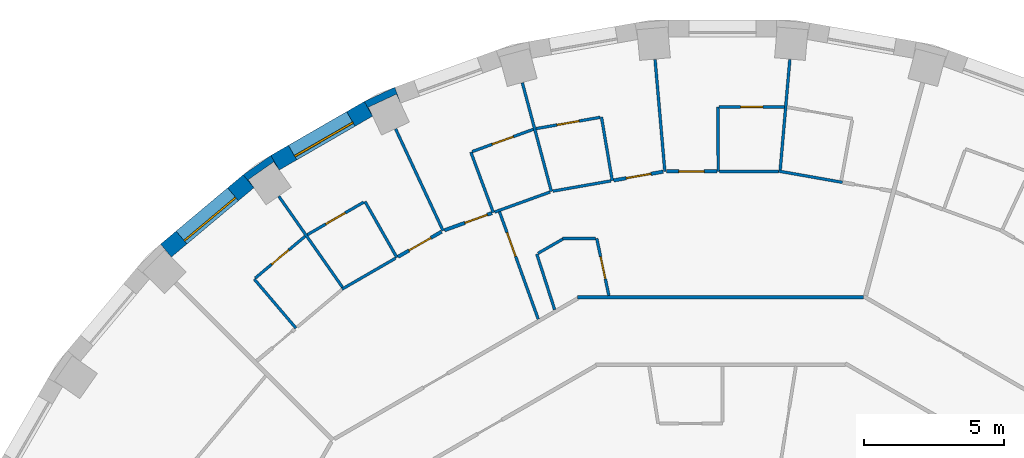
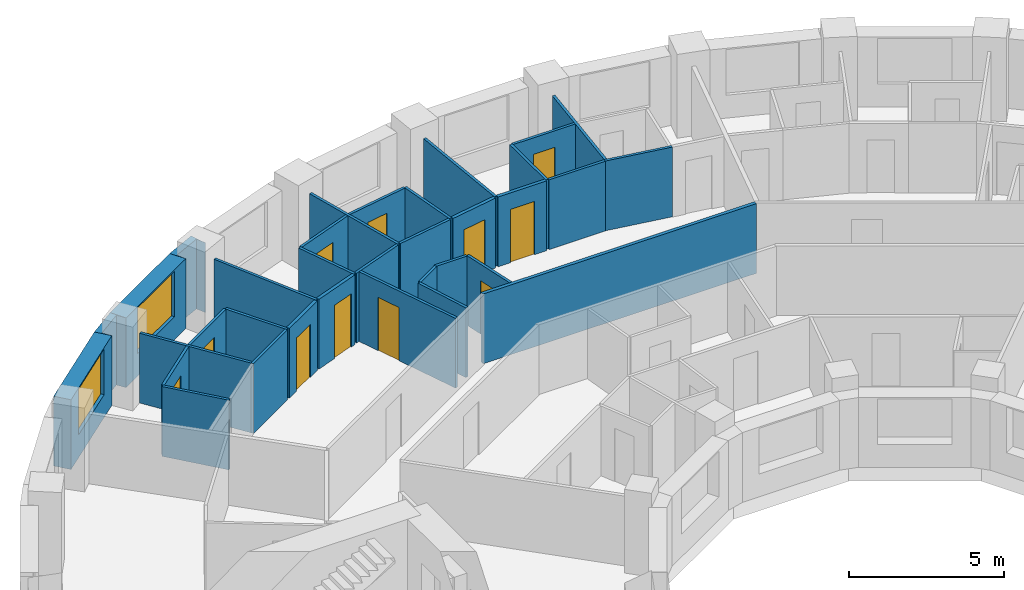
# One storey, part 12 of 16: 34 walls, 11 doors, 2 windows, 13 openings.
"""IFC4 building model written with IfcOpenShell, lengths in metres."""

from ifc_helpers import new_model, si_unit, direction, frame, frame_2d, origin, place, context, subcontext, project, spatial, polyline, rectangle, outline, extrude, material, layer, layer_set, type_object, element, fill, save


model = new_model("IFC4")

# Units and contexts
model_context = context("Model", 3, precision=1e-05, world=origin(), true_north=direction((0.0, 1.0)))
body_context = subcontext(model_context, "Body", "Model", "MODEL_VIEW")
ifc_project = project(units=[si_unit("LENGTHUNIT", "METRE"), si_unit("AREAUNIT", "SQUARE_METRE"), si_unit("VOLUMEUNIT", "CUBIC_METRE"), si_unit("PLANEANGLEUNIT", "RADIAN"), si_unit("MASSUNIT", "GRAM", prefix="KILO")], contexts=[model_context])

# Site, building, storey
site_placement = place(None, origin())
site = spatial("IfcSite", under=ifc_project, at=site_placement, CompositionType="ELEMENT")
building_placement = place(site_placement, origin())
building = spatial("IfcBuilding", under=site, at=building_placement, Name="Saqina Gate Tower", CompositionType="ELEMENT")
storey_placement = place(building_placement, frame((0.0, 0.0, 26.300048828125)))
storey = spatial("IfcBuildingStorey", under=building, at=storey_placement, Name="L06", CompositionType="ELEMENT", Elevation=26.300048828125)

# Walls
ifc_material_1 = material(Name="Brick masonry (red)", Category="masonry")
wall_type_1 = type_object("IfcWallType", Name="BRICK PIER COPING RED", PredefinedType="SOLIDWALL", material=ifc_material_1)
wall_1_placement = place(storey_placement, origin())
element("IfcWall", 1, at=wall_1_placement, inside=storey, type_object=wall_type_1, Name="Pier cap L06 column 12", PredefinedType="SOLIDWALL", context=body_context, shape_type="SweptSolid", body=[
    extrude(outline(polyline([(-12.779541015625, 25.980712890625), (-12.4794921875, 25.4609375), (-12.627685546875, 25.778564453125), (-11.630615234375, 26.243408203125), (-11.482666015625, 25.92578125), (-11.687744140625, 26.48974609375), (-12.779541015625, 25.980712890625)])), origin(), (0.0, 0.0, 1.0), 2.75),
])
wall_2_placement = place(storey_placement, origin())
element("IfcWall", 2, at=wall_2_placement, inside=storey, type_object=wall_type_1, Name="Pier cap L06 column 13", PredefinedType="SOLIDWALL", context=body_context, shape_type="SweptSolid", body=[
    extrude(outline(polyline([(-16.110107421875, 24.0576171875), (-17.096923828125, 23.36669921875), (-16.711181640625, 22.9072265625), (-16.912109375, 23.194091796875), (-16.010986328125, 23.8251953125), (-15.81005859375, 23.5380859375), (-16.110107421875, 24.0576171875)])), origin(), (0.0, 0.0, 1.0), 2.75),
])

# Wall, opening, window
ifc_material_2 = material(Name="Brick masonry (red)", Category="masonry")
ifc_layer_1 = layer(ifc_material_2, 0.60009765625)
ifc_layer_set_1 = layer_set([ifc_layer_1], Name="FW-BRICK-RED")
wall_type_2 = type_object("IfcWallType", Name="FW-BRICK-RED", PredefinedType="SOLIDWALL", material=ifc_layer_set_1)
wall_3_placement = place(storey_placement, frame((-12.629638671875, 25.720703125, 0.0), z_axis=(0.0, 0.0, 1.0), x_axis=(-0.86603124159, -0.499989888488, 0.0)))
wall_3 = element("IfcWall", 3, at=wall_3_placement, inside=storey, type_object=wall_type_2, Name="Facade wall L06 facet 12", PredefinedType="SOLIDWALL", context=body_context, shape_type="SweptSolid", body=[
    extrude(rectangle(XDim=3.845703125, YDim=0.60009765625, at=frame_2d((1.9228515625, 0.0))), origin(), (0.0, 0.0, 1.0), 2.75),
])
opening_1_placement = place(wall_3_placement, frame((0.722900390625, 0.0, 0.89990234375)))
opening_1 = element("IfcOpeningElement", 4, at=opening_1_placement, cuts=wall_3, Name="Opening G01-W10", PredefinedType="OPENING", context=body_context, shape_type="SweptSolid", body=[
    extrude(rectangle(XDim=2.39990234375, YDim=1.800048828125, at=frame_2d((1.199951171875, 0.89990234375))), frame((0.0, 0.31201171875, 0.0), z_axis=(0.0, -1.0, 0.0), x_axis=(1.0, 0.0, 0.0)), (0.0, 0.0, 1.0), 0.6240234375),
])
ifc_material_3 = material(Name="Aluminium glazing", Category="aluminium")
window_type = type_object("IfcWindowType", Name="WN-A", PartitioningType="SINGLE_PANEL", PredefinedType="WINDOW", material=ifc_material_3)
window_1_placement = place(opening_1_placement, origin())
window_1 = element("IfcWindow", 5, at=window_1_placement, inside=storey, type_object=window_type, Name="Window L06 facet 12", OverallHeight=1.800048828125, OverallWidth=2.39990234375, PartitioningType="SINGLE_PANEL", PredefinedType="WINDOW", context=body_context, shape_type="SweptSolid", body=[
    extrude(rectangle(XDim=2.39990234375, YDim=1.800048828125, at=frame_2d((1.199951171875, 0.89990234375))), frame((0.0, 0.179931640625, 0.0), z_axis=(0.0, -1.0, 0.0), x_axis=(1.0, 0.0, 0.0)), (0.0, 0.0, 1.0), 0.06005859375),
])
fill(opening_1, window_1)

wall_4_placement = place(storey_placement, frame((-16.904052734375, 23.136962890625, 0.0), z_axis=(0.0, 0.0, 1.0), x_axis=(-0.766026164483, -0.642809392687, 0.0)))
wall_4 = element("IfcWall", 6, at=wall_4_placement, inside=storey, type_object=wall_type_2, Name="Facade wall L06 facet 13", PredefinedType="SOLIDWALL", context=body_context, shape_type="SweptSolid", body=[
    extrude(rectangle(XDim=3.845947265625, YDim=0.60009765625, at=frame_2d((1.9228515625, 0.0))), origin(), (0.0, 0.0, 1.0), 2.75),
])
opening_2_placement = place(wall_4_placement, frame((0.722900390625, 0.0, 0.89990234375)))
opening_2 = element("IfcOpeningElement", 7, at=opening_2_placement, cuts=wall_4, Name="Opening G01-W11", PredefinedType="OPENING", context=body_context, shape_type="SweptSolid", body=[
    extrude(rectangle(XDim=2.39990234375, YDim=1.800048828125, at=frame_2d((1.199951171875, 0.89990234375))), frame((0.0, 0.31201171875, 0.0), z_axis=(0.0, -1.0, 0.0), x_axis=(1.0, 0.0, 0.0)), (0.0, 0.0, 1.0), 0.6240234375),
])
window_2_placement = place(opening_2_placement, origin())
window_2 = element("IfcWindow", 8, at=window_2_placement, inside=storey, type_object=window_type, Name="Window L06 facet 13", OverallHeight=1.800048828125, OverallWidth=2.39990234375, PartitioningType="SINGLE_PANEL", PredefinedType="WINDOW", context=body_context, shape_type="SweptSolid", body=[
    extrude(rectangle(XDim=2.39990234375, YDim=1.800048828125, at=frame_2d((1.199951171875, 0.89990234375))), frame((0.0, 0.179931640625, 0.0), z_axis=(0.0, -1.0, 0.0), x_axis=(1.0, 0.0, 0.0)), (0.0, 0.0, 1.0), 0.06005859375),
])
fill(opening_2, window_2)

# Walls
ifc_material_4 = material(Name="Gypsum board on steel studs, 100 mm", Category="steel")
ifc_layer_2 = layer(ifc_material_4, 0.10009765625)
ifc_layer_set_2 = layer_set([ifc_layer_2], Name="PARTITION 100")
wall_type_3 = type_object("IfcWallType", Name="PARTITION 100", PredefinedType="PARTITIONING", material=ifc_layer_set_2)
wall_5_placement = place(storey_placement, frame((-0.1650390625, 25.7900390625, 0.0), z_axis=(0.0, 0.0, 1.0), x_axis=(0.006580899844, -0.999978345644, 0.0)))
element("IfcWall", 9, at=wall_5_placement, inside=storey, type_object=wall_type_3, Name="PARTITION PW3-01", PredefinedType="PARTITIONING", context=body_context, shape_type="SweptSolid", body=[
    extrude(rectangle(XDim=2.300048828125, YDim=0.10009765625, at=frame_2d((1.14990234375, 0.0))), origin(), (0.0, 0.0, 1.0), 2.75),
])
wall_6_placement = place(storey_placement, frame((-2.404541015625, 27.485107421875, 0.0), z_axis=(0.0, 0.0, 1.0), x_axis=(0.087176012461, -0.996192924514, 0.0)))
element("IfcWall", 10, at=wall_6_placement, inside=storey, type_object=wall_type_3, Name="PARTITION PW3-03", PredefinedType="PARTITIONING", context=body_context, shape_type="SweptSolid", body=[
    extrude(rectangle(XDim=4.010498046875, YDim=0.10009765625, at=frame_2d((2.00537109375, 0.0))), origin(), (0.0, 0.0, 1.0), 2.75),
])
wall_7_placement = place(storey_placement, frame((-4.31591796875, 25.426025390625, 0.0), z_axis=(0.0, 0.0, 1.0), x_axis=(0.167445855502, -0.985881273519, 0.0)))
element("IfcWall", 11, at=wall_7_placement, inside=storey, type_object=wall_type_3, Name="PARTITION PW3-09", PredefinedType="PARTITIONING", context=body_context, shape_type="SweptSolid", body=[
    extrude(rectangle(XDim=2.29931640625, YDim=0.10009765625, at=frame_2d((1.149658203125, 0.0))), origin(), (0.0, 0.0, 1.0), 2.75),
])

# Wall, opening, door
wall_8_placement = place(storey_placement, frame((-4.485107421875, 21.10009765625, 0.0), z_axis=(0.0, 0.0, 1.0), x_axis=(0.207769107872, -0.978177896813, 0.0)))
wall_8 = element("IfcWall", 12, at=wall_8_placement, inside=storey, type_object=wall_type_3, Name="PARTITION PW3-11", PredefinedType="PARTITIONING", context=body_context, shape_type="SweptSolid", body=[
    extrude(rectangle(XDim=2.08447265625, YDim=0.10009765625, at=frame_2d((1.042236328125, 0.0))), origin(), (0.0, 0.0, 1.0), 2.75),
])
opening_3_placement = place(wall_8_placement, frame((0.67333984375, 0.0, 0.0)))
opening_3 = element("IfcOpeningElement", 13, at=opening_3_placement, cuts=wall_8, Name="Opening G01-D25", PredefinedType="OPENING", context=body_context, shape_type="SweptSolid", body=[
    extrude(rectangle(XDim=0.800048828125, YDim=2.10009765625, at=frame_2d((0.39990234375, 1.050048828125))), frame((0.0, 0.06201171875, 0.0), z_axis=(0.0, -1.0, 0.0), x_axis=(1.0, 0.0, 0.0)), (0.0, 0.0, 1.0), 0.1240234375),
])
ifc_material_5 = material(Name="Timber door leaf, 800 mm", Category="wood")
door_type_1 = type_object("IfcDoorType", Name="DOOR 800 TIMBER", OperationType="SINGLE_SWING_LEFT", PredefinedType="DOOR", material=ifc_material_5)
door_1_placement = place(opening_3_placement, origin())
door_1 = element("IfcDoor", 14, at=door_1_placement, inside=storey, type_object=door_type_1, Name="DOOR G01-D25", OperationType="SINGLE_SWING_RIGHT", OverallHeight=2.10009765625, OverallWidth=0.800048828125, PredefinedType="DOOR", context=body_context, shape_type="SweptSolid", body=[
    extrude(rectangle(XDim=0.800048828125, YDim=2.10009765625, at=frame_2d((0.39990234375, 1.050048828125))), frame((0.0, 0.02490234375, 0.0), z_axis=(0.0, -1.0, 0.0), x_axis=(1.0, 0.0, 0.0)), (0.0, 0.0, 1.0), 0.050048828125),
])
fill(opening_3, door_1)

# Walls
wall_9_placement = place(storey_placement, frame((-7.13818359375, 26.650634765625, 0.0), z_axis=(0.0, 0.0, 1.0), x_axis=(0.258102122941, -0.966117639904, 0.0)))
element("IfcWall", 15, at=wall_9_placement, inside=storey, type_object=wall_type_3, Name="PARTITION PW3-12", PredefinedType="PARTITIONING", context=body_context, shape_type="SweptSolid", body=[
    extrude(rectangle(XDim=4.0107421875, YDim=0.10009765625, at=frame_2d((2.00537109375, 0.0))), origin(), (0.0, 0.0, 1.0), 2.75),
])
wall_10_placement = place(storey_placement, frame((-6.6240234375, 20.5400390625, 0.0), z_axis=(0.0, 0.0, 1.0), x_axis=(0.306694945769, -0.951807864141, 0.0)))
element("IfcWall", 16, at=wall_10_placement, inside=storey, type_object=wall_type_3, Name="PARTITION PW3-15", PredefinedType="PARTITIONING", context=body_context, shape_type="SweptSolid", body=[
    extrude(rectangle(XDim=2.085693359375, YDim=0.10009765625, at=frame_2d((1.04296875, 0.0))), origin(), (0.0, 0.0, 1.0), 2.75),
])

# Wall, opening, door
wall_11_placement = place(storey_placement, frame((-7.953125, 22.049072265625, 0.0), z_axis=(0.0, 0.0, 1.0), x_axis=(0.339432395801, -0.940630452771, 0.0)))
wall_11 = element("IfcWall", 17, at=wall_11_placement, inside=storey, type_object=wall_type_3, Name="PARTITION PW3-16", PredefinedType="PARTITIONING", context=body_context, shape_type="SweptSolid", body=[
    extrude(rectangle(XDim=4.073974609375, YDim=0.10009765625, at=frame_2d((2.037109375, 0.0))), origin(), (0.0, 0.0, 1.0), 2.75),
])
opening_4_placement = place(wall_11_placement, frame((0.793212890625, 0.0, 0.0)))
opening_4 = element("IfcOpeningElement", 18, at=opening_4_placement, cuts=wall_11, Name="Opening G01-D28", PredefinedType="OPENING", context=body_context, shape_type="SweptSolid", body=[
    extrude(rectangle(XDim=0.89990234375, YDim=2.10009765625, at=frame_2d((0.449951171875, 1.050048828125))), frame((0.0, 0.06201171875, 0.0), z_axis=(0.0, -1.0, 0.0), x_axis=(1.0, 0.0, 0.0)), (0.0, 0.0, 1.0), 0.1240234375),
])
ifc_material_6 = material(Name="Timber door leaf, 900 mm", Category="wood")
door_type_2 = type_object("IfcDoorType", Name="DOOR 900 TIMBER", OperationType="SINGLE_SWING_LEFT", PredefinedType="DOOR", material=ifc_material_6)
door_2_placement = place(opening_4_placement, origin())
door_2 = element("IfcDoor", 19, at=door_2_placement, inside=storey, type_object=door_type_2, Name="DOOR G01-D28", OperationType="SINGLE_SWING_RIGHT", OverallHeight=2.10009765625, OverallWidth=0.89990234375, PredefinedType="DOOR", context=body_context, shape_type="SweptSolid", body=[
    extrude(rectangle(XDim=0.89990234375, YDim=2.10009765625, at=frame_2d((0.449951171875, 1.050048828125))), frame((0.0, 0.02490234375, 0.0), z_axis=(0.0, -1.0, 0.0), x_axis=(1.0, 0.0, 0.0)), (0.0, 0.0, 1.0), 0.050048828125),
])
fill(opening_4, door_2)

# Walls
wall_12_placement = place(storey_placement, frame((-8.97509765625, 24.177978515625, 0.0), z_axis=(0.0, 0.0, 1.0), x_axis=(0.347898637283, -0.937532153143, 0.0)))
element("IfcWall", 20, at=wall_12_placement, inside=storey, type_object=wall_type_3, Name="PARTITION PW3-17", PredefinedType="PARTITIONING", context=body_context, shape_type="SweptSolid", body=[
    extrude(rectangle(XDim=2.299560546875, YDim=0.10009765625, at=frame_2d((1.14990234375, 0.0))), origin(), (0.0, 0.0, 1.0), 2.75),
])
wall_13_placement = place(storey_placement, frame((-11.659912109375, 25.005126953125, 0.0), z_axis=(0.0, 0.0, 1.0), x_axis=(0.422575525044, -0.906327714259, 0.0)))
element("IfcWall", 21, at=wall_13_placement, inside=storey, type_object=wall_type_3, Name="PARTITION PW3-21", PredefinedType="PARTITIONING", context=body_context, shape_type="SweptSolid", body=[
    extrude(rectangle(XDim=4.0107421875, YDim=0.10009765625, at=frame_2d((2.00537109375, 0.0))), origin(), (0.0, 0.0, 1.0), 2.75),
])
wall_14_placement = place(storey_placement, frame((-12.751953125, 22.4169921875, 0.0), z_axis=(0.0, 0.0, 1.0), x_axis=(0.494388735629, -0.869240920621, 0.0)))
element("IfcWall", 22, at=wall_14_placement, inside=storey, type_object=wall_type_3, Name="PARTITION PW3-22", PredefinedType="PARTITIONING", context=body_context, shape_type="SweptSolid", body=[
    extrude(rectangle(XDim=2.2998046875, YDim=0.10009765625, at=frame_2d((1.14990234375, 0.0))), origin(), (0.0, 0.0, 1.0), 2.75),
])
wall_15_placement = place(storey_placement, frame((-15.824951171875, 22.600341796875, 0.0), z_axis=(0.0, 0.0, 1.0), x_axis=(0.573420971208, -0.819260880171, 0.0)))
element("IfcWall", 23, at=wall_15_placement, inside=storey, type_object=wall_type_3, Name="PARTITION PW3-26", PredefinedType="PARTITIONING", context=body_context, shape_type="SweptSolid", body=[
    extrude(rectangle(XDim=3.96044921875, YDim=0.10009765625, at=frame_2d((1.980224609375, 0.0))), origin(), (0.0, 0.0, 1.0), 2.75),
])
wall_16_placement = place(storey_placement, frame((-16.7041015625, 19.64990234375, 0.0), z_axis=(0.0, 0.0, 1.0), x_axis=(0.647857930374, -0.761761184395, 0.0)))
element("IfcWall", 24, at=wall_16_placement, inside=storey, type_object=wall_type_3, Name="PARTITION PW3-31", PredefinedType="PARTITIONING", context=body_context, shape_type="SweptSolid", body=[
    extrude(rectangle(XDim=2.2998046875, YDim=0.10009765625, at=frame_2d((1.14990234375, 0.0))), origin(), (0.0, 0.0, 1.0), 2.75),
])
wall_17_placement = place(storey_placement, frame((2.0048828125, 23.498779296875, 0.0), z_axis=(0.0, 0.0, 1.0), x_axis=(0.984814448646, -0.173610200557, 0.0)))
element("IfcWall", 25, at=wall_17_placement, inside=storey, type_object=wall_type_3, Name="PARTITION PW3-53", PredefinedType="PARTITIONING", context=body_context, shape_type="SweptSolid", body=[
    extrude(rectangle(XDim=2.30615234375, YDim=0.10009765625, at=frame_2d((1.153076171875, 0.0))), origin(), (0.0, 0.0, 1.0), 2.75),
])
wall_18_placement = place(storey_placement, frame((-5.711669921875, 21.10009765625, 0.0), z_axis=(0.0, 0.0, 1.0), x_axis=(1.0, 0.0, 0.0)))
element("IfcWall", 26, at=wall_18_placement, inside=storey, type_object=wall_type_3, Name="PARTITION PW3-64", PredefinedType="PARTITIONING", context=body_context, shape_type="SweptSolid", body=[
    extrude(rectangle(XDim=1.1767578125, YDim=0.10009765625, at=frame_2d((0.58837890625, 0.0))), origin(), (0.0, 0.0, 1.0), 2.75),
])
wall_19_placement = place(storey_placement, frame((-0.10009765625, 23.489990234375, 0.0), z_axis=(0.0, 0.0, 1.0), x_axis=(1.0, 0.0, 0.0)))
element("IfcWall", 27, at=wall_19_placement, inside=storey, type_object=wall_type_3, Name="PARTITION PW3-65", PredefinedType="PARTITIONING", context=body_context, shape_type="SweptSolid", body=[
    extrude(rectangle(XDim=2.10498046875, YDim=0.10009765625, at=frame_2d((1.052490234375, 0.0))), origin(), (0.0, 0.0, 1.0), 2.75),
])

# Wall, opening, door
wall_20_placement = place(storey_placement, frame((-0.114990234375, 25.7900390625, 0.0), z_axis=(0.0, 0.0, 1.0), x_axis=(1.0, 0.0, 0.0)))
wall_20 = element("IfcWall", 28, at=wall_20_placement, inside=storey, type_object=wall_type_3, Name="PARTITION PW3-66", PredefinedType="PARTITIONING", context=body_context, shape_type="SweptSolid", body=[
    extrude(rectangle(XDim=2.321044921875, YDim=0.10009765625, at=frame_2d((1.16064453125, 0.0))), origin(), (0.0, 0.0, 1.0), 2.75),
])
opening_5_placement = place(wall_20_placement, frame((0.760498046875, 0.0, 0.0)))
opening_5 = element("IfcOpeningElement", 29, at=opening_5_placement, cuts=wall_20, Name="Opening G01-D20", PredefinedType="OPENING", context=body_context, shape_type="SweptSolid", body=[
    extrude(rectangle(XDim=0.800048828125, YDim=2.10009765625, at=frame_2d((0.39990234375, 1.050048828125))), frame((0.0, 0.06201171875, 0.0), z_axis=(0.0, -1.0, 0.0), x_axis=(1.0, 0.0, 0.0)), (0.0, 0.0, 1.0), 0.1240234375),
])
door_3_placement = place(opening_5_placement, origin())
door_3 = element("IfcDoor", 30, at=door_3_placement, inside=storey, type_object=door_type_1, Name="DOOR G01-D20", OperationType="SINGLE_SWING_LEFT", OverallHeight=2.10009765625, OverallWidth=0.800048828125, PredefinedType="DOOR", context=body_context, shape_type="SweptSolid", body=[
    extrude(rectangle(XDim=0.800048828125, YDim=2.10009765625, at=frame_2d((0.39990234375, 1.050048828125))), frame((0.0, 0.02490234375, 0.0), z_axis=(0.0, -1.0, 0.0), x_axis=(1.0, 0.0, 0.0)), (0.0, 0.0, 1.0), 0.050048828125),
])
fill(opening_5, door_3)

# Wall
wall_21_placement = place(storey_placement, frame((-6.0537109375, 22.78466796875, 0.0), z_axis=(0.0, 0.0, 1.0), x_axis=(0.984798730273, 0.173699340392, 0.0)))
element("IfcWall", 31, at=wall_21_placement, inside=storey, type_object=wall_type_3, Name="PARTITION PW3-69", PredefinedType="PARTITIONING", context=body_context, shape_type="SweptSolid", body=[
    extrude(rectangle(XDim=2.10546875, YDim=0.10009765625, at=frame_2d((1.052734375, 0.0))), origin(), (0.0, 0.0, 1.0), 2.75),
])

# Wall, opening, door
wall_22_placement = place(storey_placement, frame((-6.65087890625, 25.0146484375, 0.0), z_axis=(0.0, 0.0, 1.0), x_axis=(0.98483963522, 0.173467267515, 0.0)))
wall_22 = element("IfcWall", 32, at=wall_22_placement, inside=storey, type_object=wall_type_3, Name="PARTITION PW3-70", PredefinedType="PARTITIONING", context=body_context, shape_type="SweptSolid", body=[
    extrude(rectangle(XDim=2.32080078125, YDim=0.10009765625, at=frame_2d((1.160400390625, 0.0))), origin(), (0.0, 0.0, 1.0), 2.75),
])
opening_6_placement = place(wall_22_placement, frame((0.760498046875, 0.0, 0.0)))
opening_6 = element("IfcOpeningElement", 33, at=opening_6_placement, cuts=wall_22, Name="Opening G01-D26", PredefinedType="OPENING", context=body_context, shape_type="SweptSolid", body=[
    extrude(rectangle(XDim=0.800048828125, YDim=2.10009765625, at=frame_2d((0.39990234375, 1.050048828125))), frame((0.0, 0.06201171875, 0.0), z_axis=(0.0, -1.0, 0.0), x_axis=(1.0, 0.0, 0.0)), (0.0, 0.0, 1.0), 0.1240234375),
])
door_4_placement = place(opening_6_placement, origin())
door_4 = element("IfcDoor", 34, at=door_4_placement, inside=storey, type_object=door_type_1, Name="DOOR G01-D26", OperationType="SINGLE_SWING_RIGHT", OverallHeight=2.10009765625, OverallWidth=0.800048828125, PredefinedType="DOOR", context=body_context, shape_type="SweptSolid", body=[
    extrude(rectangle(XDim=0.800048828125, YDim=2.10009765625, at=frame_2d((0.39990234375, 1.050048828125))), frame((0.0, 0.02490234375, 0.0), z_axis=(0.0, -1.0, 0.0), x_axis=(1.0, 0.0, 0.0)), (0.0, 0.0, 1.0), 0.050048828125),
])
fill(opening_6, door_4)

# Wall
wall_23_placement = place(storey_placement, frame((-8.1279296875, 22.0390625, 0.0), z_axis=(0.0, 0.0, 1.0), x_axis=(0.940600209608, 0.339516193553, 0.0)))
element("IfcWall", 35, at=wall_23_placement, inside=storey, type_object=wall_type_3, Name="PARTITION PW3-71", PredefinedType="PARTITIONING", context=body_context, shape_type="SweptSolid", body=[
    extrude(rectangle(XDim=2.104736328125, YDim=0.10009765625, at=frame_2d((1.05224609375, 0.0))), origin(), (0.0, 0.0, 1.0), 2.75),
])

# Wall, opening, door
wall_24_placement = place(storey_placement, frame((-8.927978515625, 24.195068359375, 0.0), z_axis=(0.0, 0.0, 1.0), x_axis=(0.939670512052, 0.342080880465, 0.0)))
wall_24 = element("IfcWall", 36, at=wall_24_placement, inside=storey, type_object=wall_type_3, Name="PARTITION PW3-73", PredefinedType="PARTITIONING", context=body_context, shape_type="SweptSolid", body=[
    extrude(rectangle(XDim=2.321044921875, YDim=0.10009765625, at=frame_2d((1.16064453125, 0.0))), origin(), (0.0, 0.0, 1.0), 2.75),
])
opening_7_placement = place(wall_24_placement, frame((0.760498046875, 0.0, 0.0)))
opening_7 = element("IfcOpeningElement", 37, at=opening_7_placement, cuts=wall_24, Name="Opening G01-D27", PredefinedType="OPENING", context=body_context, shape_type="SweptSolid", body=[
    extrude(rectangle(XDim=0.800048828125, YDim=2.10009765625, at=frame_2d((0.39990234375, 1.050048828125))), frame((0.0, 0.06201171875, 0.0), z_axis=(0.0, -1.0, 0.0), x_axis=(1.0, 0.0, 0.0)), (0.0, 0.0, 1.0), 0.1240234375),
])
door_5_placement = place(opening_7_placement, origin())
door_5 = element("IfcDoor", 38, at=door_5_placement, inside=storey, type_object=door_type_1, Name="DOOR G01-D27", OperationType="SINGLE_SWING_RIGHT", OverallHeight=2.10009765625, OverallWidth=0.800048828125, PredefinedType="DOOR", context=body_context, shape_type="SweptSolid", body=[
    extrude(rectangle(XDim=0.800048828125, YDim=2.10009765625, at=frame_2d((0.39990234375, 1.050048828125))), frame((0.0, 0.02490234375, 0.0), z_axis=(0.0, -1.0, 0.0), x_axis=(1.0, 0.0, 0.0)), (0.0, 0.0, 1.0), 0.050048828125),
])
fill(opening_7, door_5)

# Walls
wall_25_placement = place(storey_placement, frame((-6.580810546875, 20.56494140625, 0.0), z_axis=(0.0, 0.0, 1.0), x_axis=(0.866070023821, 0.499922707865, 0.0)))
element("IfcWall", 39, at=wall_25_placement, inside=storey, type_object=wall_type_3, Name="PARTITION PW3-80", PredefinedType="PARTITIONING", context=body_context, shape_type="SweptSolid", body=[
    extrude(rectangle(XDim=1.020263671875, YDim=0.10009765625, at=frame_2d((0.51025390625, 0.0))), origin(), (0.0, 0.0, 1.0), 2.75),
])
wall_26_placement = place(storey_placement, frame((-13.56884765625, 19.28955078125, 0.0), z_axis=(0.0, 0.0, 1.0), x_axis=(0.865946011253, 0.500137486693, 0.0)))
element("IfcWall", 40, at=wall_26_placement, inside=storey, type_object=wall_type_3, Name="PARTITION PW3-81", PredefinedType="PARTITIONING", context=body_context, shape_type="SweptSolid", body=[
    extrude(rectangle(XDim=2.20654296875, YDim=0.10009765625, at=frame_2d((1.103271484375, 0.0))), origin(), (0.0, 0.0, 1.0), 2.75),
])

# Wall, opening, door
wall_27_placement = place(storey_placement, frame((-14.8056640625, 21.23095703125, 0.0), z_axis=(0.0, 0.0, 1.0), x_axis=(0.865929854881, 0.500165459049, 0.0)))
wall_27 = element("IfcWall", 41, at=wall_27_placement, inside=storey, type_object=wall_type_3, Name="PARTITION PW3-82", PredefinedType="PARTITIONING", context=body_context, shape_type="SweptSolid", body=[
    extrude(rectangle(XDim=2.321533203125, YDim=0.10009765625, at=frame_2d((1.16064453125, 0.0))), origin(), (0.0, 0.0, 1.0), 2.75),
])
opening_8_placement = place(wall_27_placement, frame((0.7607421875, 0.0, 0.0)))
opening_8 = element("IfcOpeningElement", 42, at=opening_8_placement, cuts=wall_27, Name="Opening G01-D33", PredefinedType="OPENING", context=body_context, shape_type="SweptSolid", body=[
    extrude(rectangle(XDim=0.800048828125, YDim=2.10009765625, at=frame_2d((0.39990234375, 1.050048828125))), frame((0.0, 0.06201171875, 0.0), z_axis=(0.0, -1.0, 0.0), x_axis=(1.0, 0.0, 0.0)), (0.0, 0.0, 1.0), 0.1240234375),
])
door_6_placement = place(opening_8_placement, origin())
door_6 = element("IfcDoor", 43, at=door_6_placement, inside=storey, type_object=door_type_1, Name="DOOR G01-D33", OperationType="SINGLE_SWING_RIGHT", OverallHeight=2.10009765625, OverallWidth=0.800048828125, PredefinedType="DOOR", context=body_context, shape_type="SweptSolid", body=[
    extrude(rectangle(XDim=0.800048828125, YDim=2.10009765625, at=frame_2d((0.39990234375, 1.050048828125))), frame((0.0, 0.02490234375, 0.0), z_axis=(0.0, -1.0, 0.0), x_axis=(1.0, 0.0, 0.0)), (0.0, 0.0, 1.0), 0.050048828125),
])
fill(opening_8, door_6)

wall_28_placement = place(storey_placement, frame((-16.665771484375, 19.68212890625, 0.0), z_axis=(0.0, 0.0, 1.0), x_axis=(0.766191543126, 0.642612261976, 0.0)))
wall_28 = element("IfcWall", 44, at=wall_28_placement, inside=storey, type_object=wall_type_3, Name="PARTITION PW3-88", PredefinedType="PARTITIONING", context=body_context, shape_type="SweptSolid", body=[
    extrude(rectangle(XDim=2.3212890625, YDim=0.10009765625, at=frame_2d((1.16064453125, 0.0))), origin(), (0.0, 0.0, 1.0), 2.75),
])
opening_9_placement = place(wall_28_placement, frame((0.760498046875, 0.0, 0.0)))
opening_9 = element("IfcOpeningElement", 45, at=opening_9_placement, cuts=wall_28, Name="Opening G01-D36", PredefinedType="OPENING", context=body_context, shape_type="SweptSolid", body=[
    extrude(rectangle(XDim=0.800048828125, YDim=2.10009765625, at=frame_2d((0.39990234375, 1.050048828125))), frame((0.0, 0.06201171875, 0.0), z_axis=(0.0, -1.0, 0.0), x_axis=(1.0, 0.0, 0.0)), (0.0, 0.0, 1.0), 0.1240234375),
])
door_7_placement = place(opening_9_placement, origin())
door_7 = element("IfcDoor", 46, at=door_7_placement, inside=storey, type_object=door_type_1, Name="DOOR G01-D36", OperationType="SINGLE_SWING_RIGHT", OverallHeight=2.10009765625, OverallWidth=0.800048828125, PredefinedType="DOOR", context=body_context, shape_type="SweptSolid", body=[
    extrude(rectangle(XDim=0.800048828125, YDim=2.10009765625, at=frame_2d((0.39990234375, 1.050048828125))), frame((0.0, 0.02490234375, 0.0), z_axis=(0.0, -1.0, 0.0), x_axis=(1.0, 0.0, 0.0)), (0.0, 0.0, 1.0), 0.050048828125),
])
fill(opening_9, door_7)

# Walls
wall_29_placement = place(storey_placement, frame((2.059326171875, 23.539794921875, 0.0), z_axis=(0.0, 0.0, 1.0), x_axis=(0.087044593785, 0.996204416118, 0.0)))
element("IfcWall", 47, at=wall_29_placement, inside=storey, type_object=wall_type_3, Name="PARTITION PW3-118", PredefinedType="PARTITIONING", context=body_context, shape_type="SweptSolid", body=[
    extrude(rectangle(XDim=3.96044921875, YDim=0.10009765625, at=frame_2d((1.980224609375, 0.0))), origin(), (0.0, 0.0, 1.0), 2.75),
])
ifc_material_7 = material(Name="Gypsum board on steel studs, 125 mm, fire rated", Category="steel")
ifc_layer_3 = layer(ifc_material_7, 0.125)
ifc_layer_set_3 = layer_set([ifc_layer_3], Name="PARTITION EI 30 125")
wall_type_4 = type_object("IfcWallType", Name="PARTITION EI 30 125", PredefinedType="PARTITIONING", material=ifc_layer_set_3)
wall_30_placement = place(storey_placement, frame((-5.1630859375, 19.0, 0.0), z_axis=(0.0, 0.0, 1.0), x_axis=(1.0, 0.0, 0.0)))
element("IfcWall", 48, at=wall_30_placement, inside=storey, type_object=wall_type_4, Name="PARTITION PW1-31", PredefinedType="PARTITIONING", context=body_context, shape_type="SweptSolid", body=[
    extrude(rectangle(XDim=10.191650390625, YDim=0.125, at=frame_2d((5.095703125, 0.0))), origin(), (0.0, 0.0, 1.0), 2.75),
])

# Wall, opening, door
wall_31_placement = place(storey_placement, frame((-2.0048828125, 23.489990234375, 0.0), z_axis=(0.0, 0.0, 1.0), x_axis=(1.0, 0.0, 0.0)))
wall_31 = element("IfcWall", 49, at=wall_31_placement, inside=storey, type_object=wall_type_4, Name="PARTITION PW1-32", PredefinedType="PARTITIONING", context=body_context, shape_type="SweptSolid", body=[
    extrude(rectangle(XDim=1.804931640625, YDim=0.125, at=frame_2d((0.90234375, 0.0))), origin(), (0.0, 0.0, 1.0), 2.75),
])
opening_10_placement = place(wall_31_placement, frame((0.452392578125, 0.0, 0.0)))
opening_10 = element("IfcOpeningElement", 50, at=opening_10_placement, cuts=wall_31, Name="Opening G01-D21", PredefinedType="OPENING", context=body_context, shape_type="SweptSolid", body=[
    extrude(rectangle(XDim=0.89990234375, YDim=2.10009765625, at=frame_2d((0.449951171875, 1.050048828125))), frame((0.0, 0.074462890625, 0.0), z_axis=(0.0, -1.0, 0.0), x_axis=(1.0, 0.0, 0.0)), (0.0, 0.0, 1.0), 0.14892578125),
])
ifc_material_8 = material(Name="Fire door leaf EI 30, 900 mm")
door_type_3 = type_object("IfcDoorType", Name="DOOR 900 EI 30", OperationType="SINGLE_SWING_LEFT", PredefinedType="DOOR", material=ifc_material_8)
door_8_placement = place(opening_10_placement, frame((0.89990234375, 0.0, 0.0), z_axis=(0.0, 0.0, 1.0), x_axis=(-1.0, 0.0, 0.0)))
door_8 = element("IfcDoor", 51, at=door_8_placement, inside=storey, type_object=door_type_3, Name="DOOR G01-D21", OperationType="SINGLE_SWING_RIGHT", OverallHeight=2.10009765625, OverallWidth=0.89990234375, PredefinedType="DOOR", context=body_context, shape_type="SweptSolid", body=[
    extrude(rectangle(XDim=0.89990234375, YDim=2.10009765625, at=frame_2d((0.449951171875, 1.050048828125))), frame((0.0, 0.02490234375, 0.0), z_axis=(0.0, -1.0, 0.0), x_axis=(1.0, 0.0, 0.0)), (0.0, 0.0, 1.0), 0.050048828125),
])
fill(opening_10, door_8)

wall_32_placement = place(storey_placement, frame((-3.8818359375, 23.167724609375, 0.0), z_axis=(0.0, 0.0, 1.0), x_axis=(0.984784929821, 0.173777564715, 0.0)))
wall_32 = element("IfcWall", 52, at=wall_32_placement, inside=storey, type_object=wall_type_4, Name="PARTITION PW1-34", PredefinedType="PARTITIONING", context=body_context, shape_type="SweptSolid", body=[
    extrude(rectangle(XDim=1.792724609375, YDim=0.125, at=frame_2d((0.896484375, 0.0))), origin(), (0.0, 0.0, 1.0), 2.75),
])
opening_11_placement = place(wall_32_placement, frame((0.452392578125, 0.0, 0.0)))
opening_11 = element("IfcOpeningElement", 53, at=opening_11_placement, cuts=wall_32, Name="Opening G01-D24", PredefinedType="OPENING", context=body_context, shape_type="SweptSolid", body=[
    extrude(rectangle(XDim=0.89990234375, YDim=2.10009765625, at=frame_2d((0.449951171875, 1.050048828125))), frame((0.0, 0.074462890625, 0.0), z_axis=(0.0, -1.0, 0.0), x_axis=(1.0, 0.0, 0.0)), (0.0, 0.0, 1.0), 0.14892578125),
])
door_9_placement = place(opening_11_placement, frame((0.89990234375, 0.0, 0.0), z_axis=(0.0, 0.0, 1.0), x_axis=(-1.0, 0.0, 0.0)))
door_9 = element("IfcDoor", 54, at=door_9_placement, inside=storey, type_object=door_type_3, Name="DOOR G01-D24", OperationType="SINGLE_SWING_LEFT", OverallHeight=2.10009765625, OverallWidth=0.89990234375, PredefinedType="DOOR", context=body_context, shape_type="SweptSolid", body=[
    extrude(rectangle(XDim=0.89990234375, YDim=2.10009765625, at=frame_2d((0.449951171875, 1.050048828125))), frame((0.0, 0.02490234375, 0.0), z_axis=(0.0, -1.0, 0.0), x_axis=(1.0, 0.0, 0.0)), (0.0, 0.0, 1.0), 0.050048828125),
])
fill(opening_11, door_9)

wall_33_placement = place(storey_placement, frame((-9.91796875, 21.38720703125, 0.0), z_axis=(0.0, 0.0, 1.0), x_axis=(0.93962745072, 0.342199143561, 0.0)))
wall_33 = element("IfcWall", 55, at=wall_33_placement, inside=storey, type_object=wall_type_4, Name="PARTITION PW1-35", PredefinedType="PARTITIONING", context=body_context, shape_type="SweptSolid", body=[
    extrude(rectangle(XDim=1.804931640625, YDim=0.125, at=frame_2d((0.90234375, 0.0))), origin(), (0.0, 0.0, 1.0), 2.75),
])
opening_12_placement = place(wall_33_placement, frame((0.776611328125, 0.0, 0.0)))
opening_12 = element("IfcOpeningElement", 56, at=opening_12_placement, cuts=wall_33, Name="Opening G01-D29", PredefinedType="OPENING", context=body_context, shape_type="SweptSolid", body=[
    extrude(rectangle(XDim=0.85009765625, YDim=2.10009765625, at=frame_2d((0.425048828125, 1.050048828125))), frame((0.0, 0.074462890625, 0.0), z_axis=(0.0, -1.0, 0.0), x_axis=(1.0, 0.0, 0.0)), (0.0, 0.0, 1.0), 0.14892578125),
])
ifc_material_9 = material(Name="Fire door leaf EI 30, 850 mm")
door_type_4 = type_object("IfcDoorType", Name="DOOR 850 EI 30", OperationType="SINGLE_SWING_LEFT", PredefinedType="DOOR", material=ifc_material_9)
door_10_placement = place(opening_12_placement, frame((0.85009765625, 0.0, 0.0), z_axis=(0.0, 0.0, 1.0), x_axis=(-1.0, 0.0, 0.0)))
door_10 = element("IfcDoor", 57, at=door_10_placement, inside=storey, type_object=door_type_4, Name="DOOR G01-D29", OperationType="SINGLE_SWING_LEFT", OverallHeight=2.10009765625, OverallWidth=0.85009765625, PredefinedType="DOOR", context=body_context, shape_type="SweptSolid", body=[
    extrude(rectangle(XDim=0.85009765625, YDim=2.10009765625, at=frame_2d((0.425048828125, 1.050048828125))), frame((0.0, 0.02490234375, 0.0), z_axis=(0.0, -1.0, 0.0), x_axis=(1.0, 0.0, 0.0)), (0.0, 0.0, 1.0), 0.050048828125),
])
fill(opening_12, door_10)

wall_34_placement = place(storey_placement, frame((-11.57177734375, 20.44287109375, 0.0), z_axis=(0.0, 0.0, 1.0), x_axis=(0.866140237675, 0.499801049099, 0.0)))
wall_34 = element("IfcWall", 58, at=wall_34_placement, inside=storey, type_object=wall_type_4, Name="PARTITION PW1-43", PredefinedType="PARTITIONING", context=body_context, shape_type="SweptSolid", body=[
    extrude(rectangle(XDim=1.792724609375, YDim=0.125, at=frame_2d((0.896484375, 0.0))), origin(), (0.0, 0.0, 1.0), 2.75),
])
opening_13_placement = place(wall_34_placement, frame((0.452392578125, 0.0, 0.0)))
opening_13 = element("IfcOpeningElement", 59, at=opening_13_placement, cuts=wall_34, Name="Opening G01-D31", PredefinedType="OPENING", context=body_context, shape_type="SweptSolid", body=[
    extrude(rectangle(XDim=0.89990234375, YDim=2.10009765625, at=frame_2d((0.449951171875, 1.050048828125))), frame((0.0, 0.074462890625, 0.0), z_axis=(0.0, -1.0, 0.0), x_axis=(1.0, 0.0, 0.0)), (0.0, 0.0, 1.0), 0.14892578125),
])
door_11_placement = place(opening_13_placement, frame((0.89990234375, 0.0, 0.0), z_axis=(0.0, 0.0, 1.0), x_axis=(-1.0, 0.0, 0.0)))
door_11 = element("IfcDoor", 60, at=door_11_placement, inside=storey, type_object=door_type_3, Name="DOOR G01-D31", OperationType="SINGLE_SWING_LEFT", OverallHeight=2.10009765625, OverallWidth=0.89990234375, PredefinedType="DOOR", context=body_context, shape_type="SweptSolid", body=[
    extrude(rectangle(XDim=0.89990234375, YDim=2.10009765625, at=frame_2d((0.449951171875, 1.050048828125))), frame((0.0, 0.02490234375, 0.0), z_axis=(0.0, -1.0, 0.0), x_axis=(1.0, 0.0, 0.0)), (0.0, 0.0, 1.0), 0.050048828125),
])
fill(opening_13, door_11)

save(model, "model.ifc")
